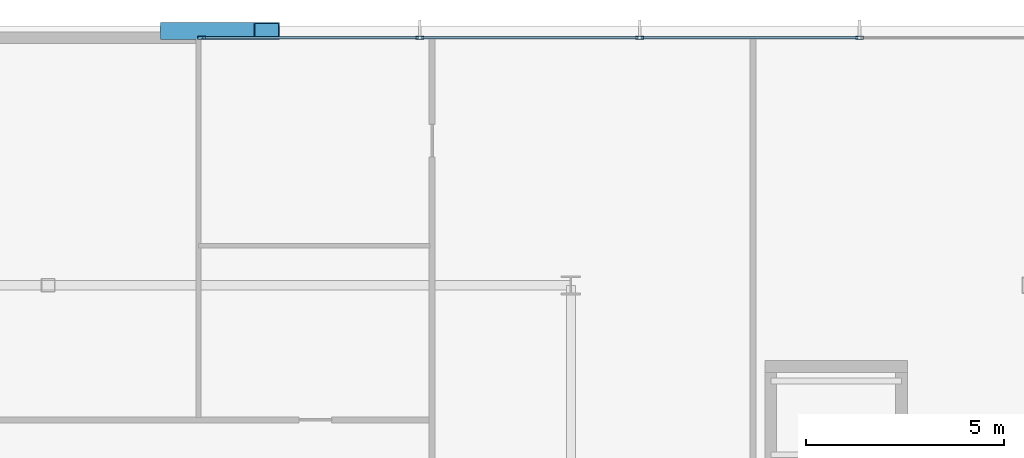
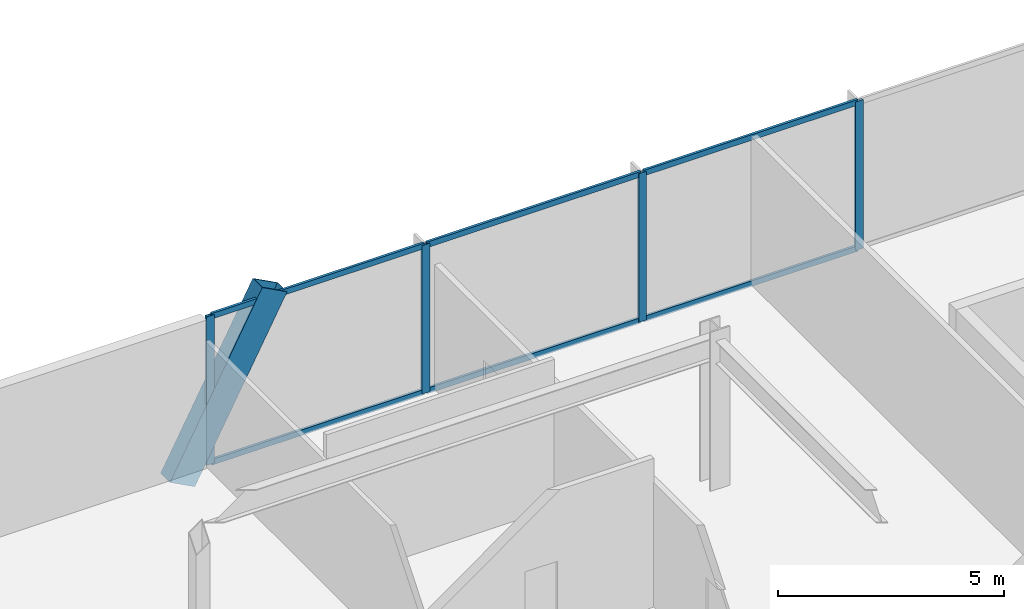
# One storey, part 30 of 42: 11 members, 1 element without a shape of its own.
"""IFC4 building model written with IfcOpenShell, lengths in metres."""

from ifc_helpers import new_model, si_unit, direction, frame, origin, origin_2d, place, context, subcontext, project, spatial, hollow_rectangle, extrude, material, layer, layer_set, material_profile, profile_set, type_object, element, aggregate, save


model = new_model("IFC4")

# Units and contexts
model_context = context("Model", 3, precision=1e-05, world=origin(), true_north=direction((0.0, 1.0)))
body_context = subcontext(model_context, "Body", "Model", "MODEL_VIEW")
ifc_project = project(units=[si_unit("LENGTHUNIT", "METRE"), si_unit("AREAUNIT", "SQUARE_METRE"), si_unit("VOLUMEUNIT", "CUBIC_METRE"), si_unit("PLANEANGLEUNIT", "RADIAN"), si_unit("MASSUNIT", "GRAM", prefix="KILO")], contexts=[model_context])

# Site, building, storey
site_placement = place(None, origin())
site = spatial("IfcSite", under=ifc_project, at=site_placement, CompositionType="ELEMENT")
building_placement = place(site_placement, origin())
building = spatial("IfcBuilding", under=site, at=building_placement, Name="Orvanel Arch Residences", CompositionType="ELEMENT")
storey_placement = place(building_placement, frame((0.0, 0.0, 5.5)))
storey = spatial("IfcBuildingStorey", under=building, at=storey_placement, Name="L01", CompositionType="ELEMENT", Elevation=5.5)

# Member
ifc_material_1 = material(Name="Structural steel AS/NZS 3678 Grade 350", Category="steel")
ifc_material_profile_1 = material_profile(ifc_material_1, hollow_rectangle(XDim=0.419921875, YDim=0.719970703125, WallThickness=0.02490234375, at=origin_2d()), Name="RHS720x420x25")
ifc_profile_set_1 = profile_set([ifc_material_profile_1], Name="Structural steel AS/NZS 3678 Grade 350")
member_type_1 = type_object("IfcMemberType", Name="BR-720RHS-EXT", PredefinedType="BRACE", material=ifc_profile_set_1)
member_1_placement = place(storey_placement, frame((36.158935546875, 54.419921875, -0.300048828125), z_axis=(0.468698055994, 0.0, 0.883358439314), x_axis=(0.0, 1.0, 0.0)))
element("IfcMember", 1, at=member_1_placement, inside=storey, type_object=member_type_1, Name="L01 Podium Multi-Storey V-Strut Pair N2 Leg 2", PredefinedType="BRACE", context=body_context, shape_type="SweptSolid", body=[
    extrude(hollow_rectangle(XDim=0.419921875, YDim=0.719970703125, WallThickness=0.02490234375, at=origin_2d()), origin(), (0.0, 0.0, 1.0), 5.03759765625),
])

# Curtain wall, members
ifc_material_2 = material(Name="Bronze-anodised aluminium AA6063-T6", Category="aluminium")
ifc_layer = layer(ifc_material_2, 0.199951171875)
ifc_layer_set = layer_set([ifc_layer], Name="Bronze-anodised aluminium AA6063-T6")
curtain_wall_type = type_object("IfcCurtainWallType", Name="CW1-POD-SYS", PredefinedType="NOTDEFINED", material=ifc_layer_set)
curtain_wall_placement = place(storey_placement, origin())
curtain_wall = element("IfcCurtainWall", 2, at=curtain_wall_placement, inside=storey, type_object=curtain_wall_type, Name="L01 CW1-POD-SYS Unitised Curtain Wall", PredefinedType="NOTDEFINED")
ifc_material_profile_2 = material_profile(ifc_material_2, hollow_rectangle(XDim=0.074951171875, YDim=0.199951171875, WallThickness=0.0048828125, at=origin_2d()), Name="ALU200x75x5")
ifc_profile_set_2 = profile_set([ifc_material_profile_2], Name="Bronze-anodised aluminium AA6063-T6")
member_type_2 = type_object("IfcMemberType", Name="MUL-200x75", PredefinedType="MULLION", material=ifc_profile_set_2)
member_2_placement = place(storey_placement, frame((53.489990234375, 54.25, 0.0), z_axis=(0.0, 0.0, 1.0), x_axis=(0.0, -1.0, 0.0)))
member_2 = element("IfcMember", 3, at=member_2_placement, type_object=member_type_2, Name="CW-S1 mullion 3", PredefinedType="MULLION", context=body_context, shape_type="SweptSolid", body=[
    extrude(hollow_rectangle(XDim=0.074951171875, YDim=0.199951171875, WallThickness=0.0048828125, at=origin_2d()), origin(), (0.0, 0.0, 1.0), 4.02001953125),
])
member_3_placement = place(storey_placement, frame((47.93994140625, 54.25, 0.0), z_axis=(0.0, 0.0, 1.0), x_axis=(0.0, -1.0, 0.0)))
member_3 = element("IfcMember", 4, at=member_3_placement, type_object=member_type_2, Name="CW-S1 mullion 4", PredefinedType="MULLION", context=body_context, shape_type="SweptSolid", body=[
    extrude(hollow_rectangle(XDim=0.074951171875, YDim=0.199951171875, WallThickness=0.0048828125, at=origin_2d()), origin(), (0.0, 0.0, 1.0), 4.02001953125),
])
member_4_placement = place(storey_placement, frame((42.389892578125, 54.25, 0.0), z_axis=(0.0, 0.0, 1.0), x_axis=(0.0, -1.0, 0.0)))
member_4 = element("IfcMember", 5, at=member_4_placement, type_object=member_type_2, Name="CW-S1 mullion 5", PredefinedType="MULLION", context=body_context, shape_type="SweptSolid", body=[
    extrude(hollow_rectangle(XDim=0.074951171875, YDim=0.199951171875, WallThickness=0.0048828125, at=origin_2d()), origin(), (0.0, 0.0, 1.0), 4.02001953125),
])
member_5_placement = place(storey_placement, frame((36.87744140625, 54.25, 0.0), z_axis=(0.0, 0.0, 1.0), x_axis=(0.0, -1.0, 0.0)))
member_5 = element("IfcMember", 6, at=member_5_placement, type_object=member_type_2, Name="CW-S1 mullion 6", PredefinedType="MULLION", context=body_context, shape_type="SweptSolid", body=[
    extrude(hollow_rectangle(XDim=0.074951171875, YDim=0.199951171875, WallThickness=0.0048828125, at=origin_2d()), origin(), (0.0, 0.0, 1.0), 4.02001953125),
])
ifc_material_profile_3 = material_profile(ifc_material_2, hollow_rectangle(XDim=0.06494140625, YDim=0.14990234375, WallThickness=0.00390625, at=origin_2d()), Name="ALU150x65x4")
ifc_profile_set_3 = profile_set([ifc_material_profile_3], Name="Bronze-anodised aluminium AA6063-T6")
member_type_3 = type_object("IfcMemberType", Name="TRN-150x65", PredefinedType="USERDEFINED", material=ifc_profile_set_3)
member_6_placement = place(storey_placement, frame((53.452392578125, 54.25, 0.032470703125), z_axis=(-1.0, 0.0, 0.0), x_axis=(0.0, -1.0, 0.0)))
member_6 = element("IfcMember", 7, at=member_6_placement, type_object=member_type_3, Name="CW-S1 transom 3.1", ObjectType="TRANSOM", PredefinedType="USERDEFINED", context=body_context, shape_type="SweptSolid", body=[
    extrude(hollow_rectangle(XDim=0.06494140625, YDim=0.14990234375, WallThickness=0.00390625, at=origin_2d()), origin(), (0.0, 0.0, 1.0), 5.474853515625),
])
member_7_placement = place(storey_placement, frame((53.452392578125, 54.25, 3.987548828125), z_axis=(-1.0, 0.0, 0.0), x_axis=(0.0, -1.0, 0.0)))
member_7 = element("IfcMember", 8, at=member_7_placement, type_object=member_type_3, Name="CW-S1 transom 3.2", ObjectType="TRANSOM", PredefinedType="USERDEFINED", context=body_context, shape_type="SweptSolid", body=[
    extrude(hollow_rectangle(XDim=0.06494140625, YDim=0.14990234375, WallThickness=0.00390625, at=origin_2d()), origin(), (0.0, 0.0, 1.0), 5.474853515625),
])
member_8_placement = place(storey_placement, frame((47.902587890625, 54.25, 0.032470703125), z_axis=(-1.0, 0.0, 0.0), x_axis=(0.0, -1.0, 0.0)))
member_8 = element("IfcMember", 9, at=member_8_placement, type_object=member_type_3, Name="CW-S1 transom 4.1", ObjectType="TRANSOM", PredefinedType="USERDEFINED", context=body_context, shape_type="SweptSolid", body=[
    extrude(hollow_rectangle(XDim=0.06494140625, YDim=0.14990234375, WallThickness=0.00390625, at=origin_2d()), origin(), (0.0, 0.0, 1.0), 5.47509765625),
])
member_9_placement = place(storey_placement, frame((47.902587890625, 54.25, 3.987548828125), z_axis=(-1.0, 0.0, 0.0), x_axis=(0.0, -1.0, 0.0)))
member_9 = element("IfcMember", 10, at=member_9_placement, type_object=member_type_3, Name="CW-S1 transom 4.2", ObjectType="TRANSOM", PredefinedType="USERDEFINED", context=body_context, shape_type="SweptSolid", body=[
    extrude(hollow_rectangle(XDim=0.06494140625, YDim=0.14990234375, WallThickness=0.00390625, at=origin_2d()), origin(), (0.0, 0.0, 1.0), 5.47509765625),
])
member_10_placement = place(storey_placement, frame((42.3525390625, 54.25, 0.032470703125), z_axis=(-1.0, 0.0, 0.0), x_axis=(0.0, -1.0, 0.0)))
member_10 = element("IfcMember", 11, at=member_10_placement, type_object=member_type_3, Name="CW-S1 transom 5.1", ObjectType="TRANSOM", PredefinedType="USERDEFINED", context=body_context, shape_type="SweptSolid", body=[
    extrude(hollow_rectangle(XDim=0.06494140625, YDim=0.14990234375, WallThickness=0.00390625, at=origin_2d()), origin(), (0.0, 0.0, 1.0), 5.4375),
])
member_11_placement = place(storey_placement, frame((42.3525390625, 54.25, 3.987548828125), z_axis=(-1.0, 0.0, 0.0), x_axis=(0.0, -1.0, 0.0)))
member_11 = element("IfcMember", 12, at=member_11_placement, type_object=member_type_3, Name="CW-S1 transom 5.2", ObjectType="TRANSOM", PredefinedType="USERDEFINED", context=body_context, shape_type="SweptSolid", body=[
    extrude(hollow_rectangle(XDim=0.06494140625, YDim=0.14990234375, WallThickness=0.00390625, at=origin_2d()), origin(), (0.0, 0.0, 1.0), 5.4375),
])
aggregate(curtain_wall, [member_2, member_3, member_4, member_5, member_6, member_7, member_8, member_9, member_10, member_11])

save(model, "model.ifc")
